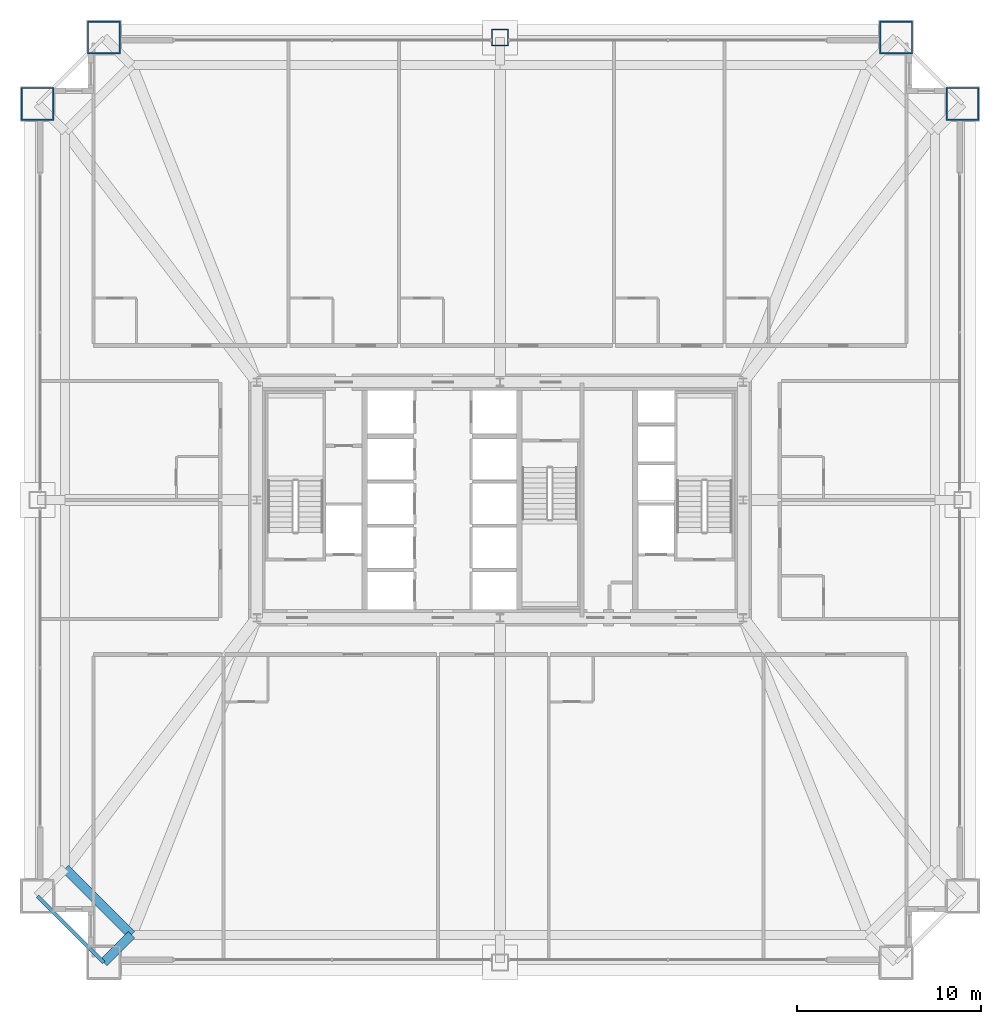
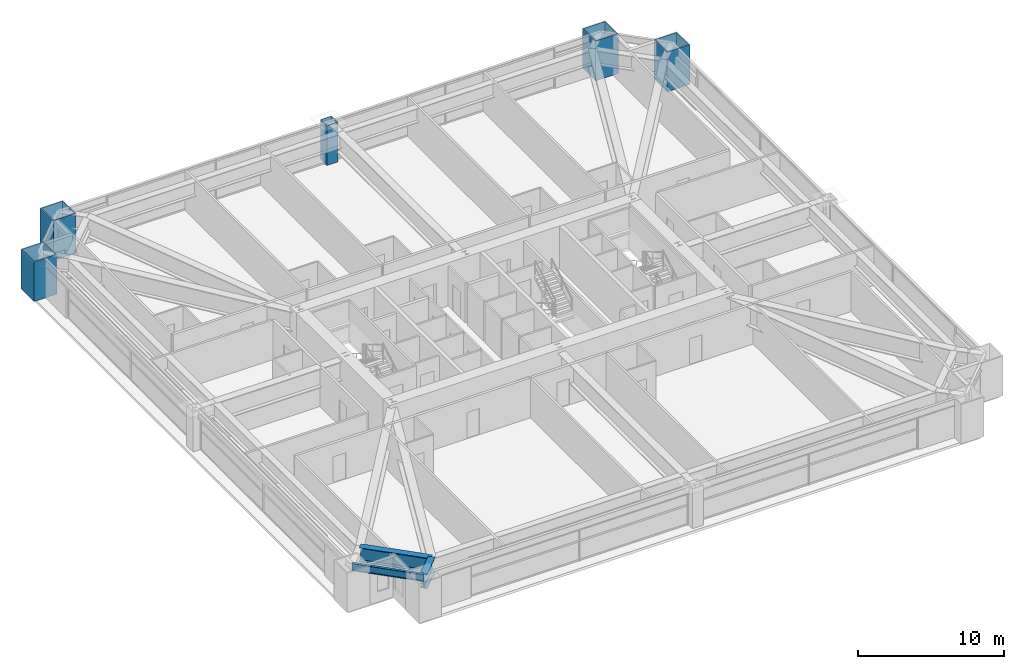
# One storey, part 2 of 44: 5 columns, 3 beams.
"""IFC4 building model written with IfcOpenShell, lengths in metres."""

from ifc_helpers import new_model, si_unit, direction, frame, origin, origin_2d, place, context, subcontext, project, spatial, hollow_rectangle, i_section, extrude, source, transform, mapped, material, material_profile, profile_set, type_object, element, save


model = new_model("IFC4")

# Units and contexts
model_context = context("Model", 3, precision=1e-05, world=origin(), true_north=direction((0.0, 1.0)))
body_context = subcontext(model_context, "Body", "Model", "MODEL_VIEW")
ifc_project = project(units=[si_unit("LENGTHUNIT", "METRE"), si_unit("AREAUNIT", "SQUARE_METRE"), si_unit("VOLUMEUNIT", "CUBIC_METRE"), si_unit("PLANEANGLEUNIT", "RADIAN"), si_unit("MASSUNIT", "GRAM", prefix="KILO"), si_unit("THERMODYNAMICTEMPERATUREUNIT", "KELVIN"), si_unit("POWERUNIT", "WATT")], contexts=[model_context])

# Site, building, storey
site_placement = place(None, origin())
site = spatial("IfcSite", under=ifc_project, at=site_placement, CompositionType="ELEMENT")
building_placement = place(site_placement, origin())
building = spatial("IfcBuilding", under=site, at=building_placement, Name="Yuzanri Waterfront Tower", CompositionType="ELEMENT")
storey_placement = place(building_placement, frame((0.0, 0.0, 82.0)))
storey = spatial("IfcBuildingStorey", under=building, at=storey_placement, Name="L21", CompositionType="ELEMENT", Elevation=82.0)

# Columns
ifc_material_1 = material(Name="Steel Q420GJC", Category="steel")
ifc_material_profile_1 = material_profile(ifc_material_1, hollow_rectangle(XDim=1.800048828125, YDim=1.800048828125, WallThickness=0.080078125, at=origin_2d()), Name="RHS 1800x1800x80")
ifc_profile_set_1 = profile_set([ifc_material_profile_1], Name="Steel Q420GJC")
column_type_1 = type_object("IfcColumnType", Name="Mega Column Q420GJC RHS 1800x1800x80", PredefinedType="COLUMN", material=ifc_profile_set_1)
shared_shape_1 = source(origin(), body_context, "Body", "SweptSolid", [
    extrude(hollow_rectangle(XDim=1.800048828125, YDim=1.800048828125, WallThickness=0.080078125, at=origin_2d()), origin(), (0.0, 0.0, 1.0), 3.320068359375),
])
for number, where, z_axis, x_axis, name in (
    (1, (15.5, 50.89990234375, 0.0), (0.0, 0.0, 1.0), (1.0, 0.0, 0.0), "L21 Perimeter Mega Column N1"),
    (2, (58.5, 50.89990234375, 0.0), (0.0, 0.0, 1.0), (1.0, 0.0, 0.0), "L21 Perimeter Mega Column N3"),
    (3, (11.89990234375, 47.300048828125, 0.0), (0.0, 0.0, 1.0), (1.0, 0.0, 0.0), "L21 Perimeter Mega Column W3"),
    (4, (62.10009765625, 47.300048828125, 0.0), (0.0, 0.0, 1.0), (1.0, 0.0, 0.0), "L21 Perimeter Mega Column E3"),
):
    element("IfcColumn", number, at=place(storey_placement, frame(where, z_axis=z_axis, x_axis=x_axis)), inside=storey, type_object=column_type_1, Name=name, PredefinedType="COLUMN", context=body_context, shape_type="MappedRepresentation", body=[
        mapped(shared_shape_1, transform((0.0, 0.0, 0.0), scale=1.0)),
    ])
ifc_material_2 = material(Name="Steel Q390GJC", Category="steel")
ifc_material_profile_2 = material_profile(ifc_material_2, hollow_rectangle(XDim=0.89990234375, YDim=0.89990234375, WallThickness=0.0419921875, at=origin_2d()), Name="RHS 900x900x42")
ifc_profile_set_2 = profile_set([ifc_material_profile_2], Name="Steel Q390GJC")
column_type_2 = type_object("IfcColumnType", Name="Frame Column Q390GJC RHS 900x900x42", PredefinedType="COLUMN", material=ifc_profile_set_2)
shared_shape_2 = source(origin(), body_context, "Body", "SweptSolid", [
    extrude(hollow_rectangle(XDim=0.89990234375, YDim=0.89990234375, WallThickness=0.0419921875, at=origin_2d()), origin(), (0.0, 0.0, 1.0), 3.320068359375),
])
column_placement = place(storey_placement, frame((37.0, 50.89990234375, 0.0), z_axis=(0.0, 0.0, 1.0), x_axis=(1.0, 0.0, 0.0)))
element("IfcColumn", 5, at=column_placement, inside=storey, type_object=column_type_2, Name="L21 Perimeter Frame Column N2", PredefinedType="COLUMN", context=body_context, shape_type="MappedRepresentation", body=[
    mapped(shared_shape_2, transform((0.0, 0.0, 0.0), scale=1.0)),
])

# Beams
ifc_material_3 = material(Name="Steel Q355B", Category="steel")
ifc_material_profile_3 = material_profile(ifc_material_3, i_section(OverallWidth=0.199951171875, OverallDepth=0.60009765625, WebThickness=0.010986328125, FlangeThickness=0.01708984375, at=origin_2d()), Name="HN 600x200x11x17")
ifc_profile_set_3 = profile_set([ifc_material_profile_3], Name="Steel Q355B")
beam_type_1 = type_object("IfcBeamType", Name="Perimeter Spandrel Q355B HN 600x200", PredefinedType="SPANDREL", material=ifc_profile_set_3)
shared_shape_3 = source(origin(), body_context, "Body", "SweptSolid", [
    extrude(i_section(OverallWidth=0.199951171875, OverallDepth=0.60009765625, WebThickness=0.010986328125, FlangeThickness=0.01708984375, at=origin_2d()), origin(), (0.0, 0.0, 1.0), 5.09130859375),
])
beam_1_placement = place(storey_placement, frame((11.89990234375, 4.300048828125, 3.02001953125), z_axis=(0.707106781187, -0.707106781187, 0.0), x_axis=(0.707106781187, 0.707106781187, 0.0)))
element("IfcBeam", 6, at=beam_1_placement, inside=storey, type_object=beam_type_1, Name="L21 Perimeter Spandrel W1-S1", PredefinedType="SPANDREL", context=body_context, shape_type="MappedRepresentation", body=[
    mapped(shared_shape_3, transform((0.0, 0.0, 0.0), scale=1.0)),
])
ifc_material_4 = material(Name="Steel Q420GJC", Category="steel")
ifc_material_profile_4 = material_profile(ifc_material_4, i_section(OverallWidth=0.5, OverallDepth=1.199951171875, WebThickness=0.028076171875, FlangeThickness=0.050048828125, at=origin_2d()), Name="PG 1200x500x28x50")
ifc_profile_set_4 = profile_set([ifc_material_profile_4], Name="Steel Q420GJC")
beam_type_2 = type_object("IfcBeamType", Name="Setback Transfer Girder Q420GJC PG 1200x500", PredefinedType="USERDEFINED", material=ifc_profile_set_4)
shared_shape_4 = source(origin(), body_context, "Body", "SweptSolid", [
    extrude(i_section(OverallWidth=0.5, OverallDepth=1.199951171875, WebThickness=0.028076171875, FlangeThickness=0.050048828125, at=origin_2d()), origin(), (0.0, 0.0, 1.0), 2.121337890625),
])
beam_2_placement = place(storey_placement, frame((17.0, 2.199951171875, 2.719970703125), z_axis=(-0.707106781187, -0.707106781187, 0.0), x_axis=(0.707106781187, -0.707106781187, 0.0)))
element("IfcBeam", 7, at=beam_2_placement, inside=storey, type_object=beam_type_2, Name="L21 Setback Step Transfer S1", ObjectType="GIRDER", PredefinedType="USERDEFINED", context=body_context, shape_type="MappedRepresentation", body=[
    mapped(shared_shape_4, transform((0.0, 0.0, 0.0), scale=1.0)),
])
shared_shape_5 = source(origin(), body_context, "Body", "SweptSolid", [
    extrude(i_section(OverallWidth=0.5, OverallDepth=1.199951171875, WebThickness=0.028076171875, FlangeThickness=0.050048828125, at=origin_2d()), origin(), (0.0, 0.0, 1.0), 5.09130859375),
])
beam_3_placement = place(storey_placement, frame((13.39990234375, 5.800048828125, 2.719970703125), z_axis=(0.707106781187, -0.707106781187, 0.0), x_axis=(0.707106781187, 0.707106781187, 0.0)))
element("IfcBeam", 8, at=beam_3_placement, inside=storey, type_object=beam_type_2, Name="L21 Setback Upper Ring W1-S1", ObjectType="GIRDER", PredefinedType="USERDEFINED", context=body_context, shape_type="MappedRepresentation", body=[
    mapped(shared_shape_5, transform((0.0, 0.0, 0.0), scale=1.0)),
])

save(model, "model.ifc")
